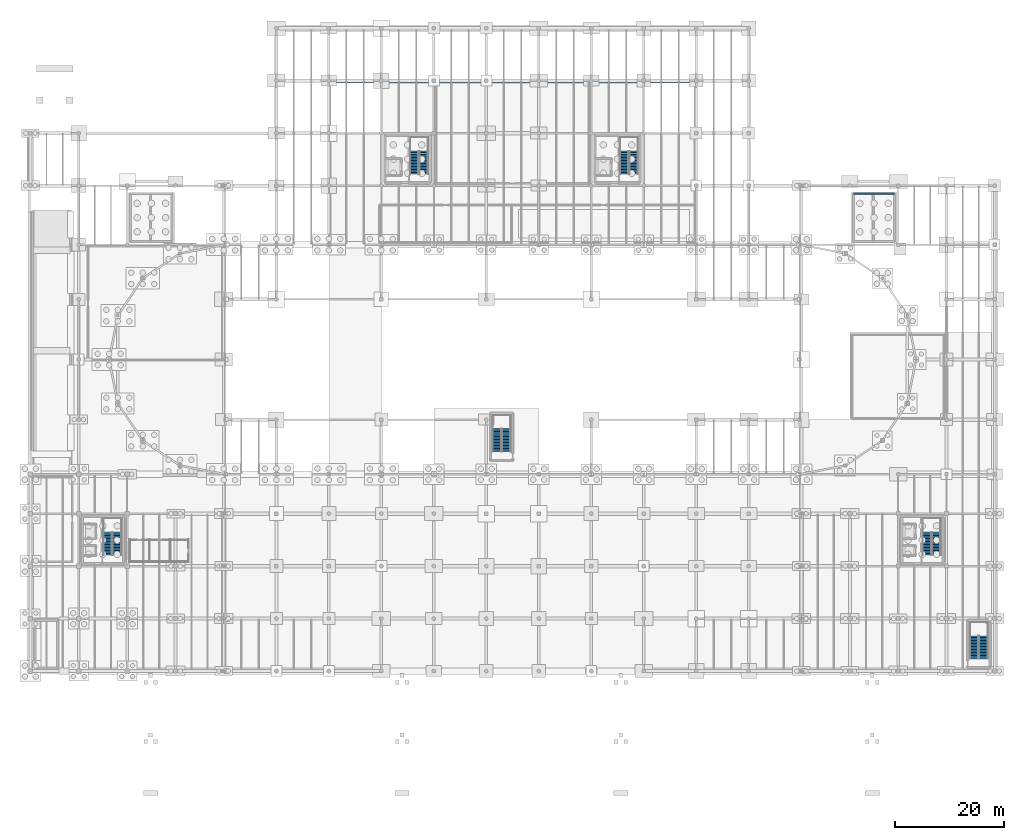
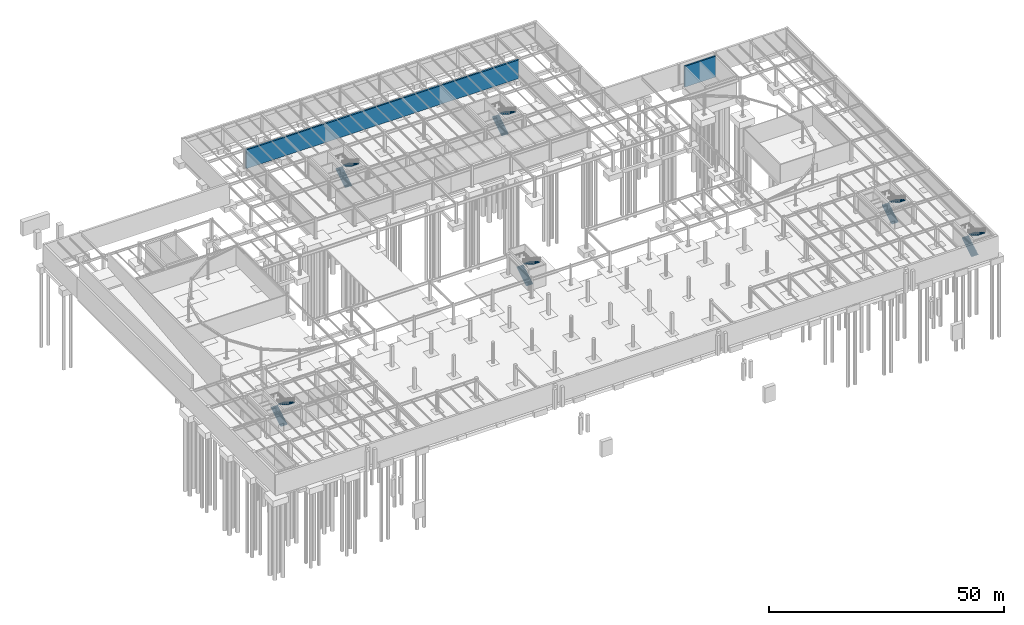
# One storey, part 47 of 50: 12 stair flights, 2 walls, 6 elements without a shape of their own.
"""IFC4 building model written with IfcOpenShell, lengths in metres."""

from ifc_helpers import new_model, si_unit, direction, frame, frame_2d, origin, place, context, subcontext, project, spatial, polyline, rectangle, outline, extrude, material, layer, layer_set, type_object, element, aggregate, save


model = new_model("IFC4")

# Units and contexts
model_context = context("Model", 3, precision=1e-05, world=origin(), true_north=direction((0.0, 1.0)))
body_context = subcontext(model_context, "Body", "Model", "MODEL_VIEW")
ifc_project = project(units=[si_unit("LENGTHUNIT", "METRE"), si_unit("AREAUNIT", "SQUARE_METRE"), si_unit("VOLUMEUNIT", "CUBIC_METRE"), si_unit("PLANEANGLEUNIT", "RADIAN"), si_unit("MASSUNIT", "GRAM", prefix="KILO")], contexts=[model_context])

# Site, building, storey
site_placement = place(None, origin())
site = spatial("IfcSite", under=ifc_project, at=site_placement, CompositionType="ELEMENT")
building_placement = place(site_placement, origin())
building = spatial("IfcBuilding", under=site, at=building_placement, Name="Yeouljin Market Hall", CompositionType="ELEMENT")
storey_placement = place(building_placement, frame((0.0, 0.0, -5.39990234375)))
storey = spatial("IfcBuildingStorey", under=building, at=storey_placement, Name="B1", CompositionType="ELEMENT", Elevation=-5.39990234375)

# Walls
ifc_material_1 = material(Name="Concrete C35/45", Category="concrete")
ifc_layer_1 = layer(ifc_material_1, 0.3798828125)
ifc_layer_set_1 = layer_set([ifc_layer_1], Name="Concrete C35/45")
wall_type_1 = type_object("IfcWallType", Name="Wall_CoreShear_380", PredefinedType="SHEAR", material=ifc_layer_set_1)
wall_1_placement = place(storey_placement, frame((158.090087890625, 87.35009765625, 0.0), z_axis=(0.0, 0.0, 1.0), x_axis=(-1.0, 0.0, 0.0)))
element("IfcWall", 1, at=wall_1_placement, inside=storey, type_object=wall_type_1, Name="Core C4 substructure shear wall N", PredefinedType="SHEAR", context=body_context, shape_type="SweptSolid", body=[
    extrude(rectangle(XDim=7.530029296875, YDim=0.3798828125, at=frame_2d((3.76513671875, 0.0))), origin(), (0.0, 0.0, 1.0), 5.39990234375),
])
ifc_material_2 = material(Name="Concrete C35/45", Category="concrete")
ifc_layer_2 = layer(ifc_material_2, 0.39990234375)
ifc_layer_set_2 = layer_set([ifc_layer_2], Name="Concrete C35/45")
wall_type_2 = type_object("IfcWallType", Name="Wall_Retaining_RC400", PredefinedType="USERDEFINED", material=ifc_layer_set_2)
wall_2_placement = place(storey_placement, frame((54.800048828125, 107.800048828125, 0.0), z_axis=(0.0, 0.0, 1.0), x_axis=(1.0, 0.0, 0.0)))
element("IfcWall", 2, at=wall_2_placement, inside=storey, type_object=wall_type_2, Name="Exterior wall W-B1-N2", ObjectType="RETAININGWALL", PredefinedType="USERDEFINED", context=body_context, shape_type="SweptSolid", body=[
    extrude(rectangle(XDim=66.800048828125, YDim=0.39990234375, at=frame_2d((33.39990234375, 0.0))), origin(), (0.0, 0.0, 1.0), 4.849853515625),
])

# Stair, stair flights
ifc_material_3 = material(Name="Concrete C30/37", Category="concrete")
stair_type_1 = type_object("IfcStairType", Name="Stair_Core_B1_L00", PredefinedType="TWO_STRAIGHT_RUN_STAIR", material=ifc_material_3)
stair_1_placement = place(storey_placement, origin())
stair_1 = element("IfcStair", 3, at=stair_1_placement, inside=storey, type_object=stair_type_1, Name="Enclosed exit stair ST-C3-B1", PredefinedType="TWO_STRAIGHT_RUN_STAIR")
ifc_material_4 = material(Name="Concrete C30/37", Category="concrete")
ifc_layer_3 = layer(ifc_material_4, 0.159912109375)
ifc_layer_set_3 = layer_set([ifc_layer_3], Name="Concrete C30/37")
stair_flight_type_1 = type_object("IfcStairFlightType", Name="StairFlight_1580", PredefinedType="STRAIGHT", material=ifc_layer_set_3)
stair_flight_1_placement = place(storey_placement, frame((164.02001953125, 21.199951171875, 0.0), z_axis=(0.0, 0.0, 1.0), x_axis=(0.0, 1.0, 0.0)))
stair_flight_1 = element("IfcStairFlight", 4, at=stair_flight_1_placement, type_object=stair_flight_type_1, Name="ST-C3-B1 flight 1", NumberOfRisers=16, NumberOfTreads=15, PredefinedType="STRAIGHT", RiserHeight=0.16875, TreadLength=0.28, context=body_context, shape_type="SweptSolid", body=[
    extrude(outline(polyline([(0.0, 0.0), (0.0, 0.168701171875), (0.280029296875, 0.168701171875), (0.280029296875, 0.33740234375), (0.56005859375, 0.33740234375), (0.56005859375, 0.50634765625), (0.840087890625, 0.50634765625), (0.840087890625, 0.675048828125), (1.1201171875, 0.675048828125), (1.1201171875, 0.84375), (1.39990234375, 0.84375), (1.39990234375, 1.012451171875), (1.679931640625, 1.012451171875), (1.679931640625, 1.18115234375), (1.9599609375, 1.18115234375), (1.9599609375, 1.35009765625), (2.239990234375, 1.35009765625), (2.239990234375, 1.518798828125), (2.52001953125, 1.518798828125), (2.52001953125, 1.6875), (2.800048828125, 1.6875), (2.800048828125, 1.856201171875), (3.080078125, 1.856201171875), (3.080078125, 2.02490234375), (3.360107421875, 2.02490234375), (3.360107421875, 2.19384765625), (3.639892578125, 2.19384765625), (3.639892578125, 2.362548828125), (3.919921875, 2.362548828125), (3.919921875, 2.53125), (4.199951171875, 2.53125), (4.199951171875, 2.699951171875), (4.199951171875, 2.3212890625), (0.3486328125, 0.0), (0.0, 0.0)])), frame((0.0, 0.81005859375, 0.0), z_axis=(0.0, -1.0, 0.0), x_axis=(1.0, 0.0, 0.0)), (0.0, 0.0, 1.0), 1.6201171875),
])
stair_flight_2_placement = place(storey_placement, frame((165.719970703125, 25.39990234375, 2.699951171875), z_axis=(0.0, 0.0, 1.0), x_axis=(0.0, -1.0, 0.0)))
stair_flight_2 = element("IfcStairFlight", 5, at=stair_flight_2_placement, type_object=stair_flight_type_1, Name="ST-C3-B1 flight 2", NumberOfRisers=16, NumberOfTreads=15, PredefinedType="STRAIGHT", RiserHeight=0.16875, TreadLength=0.28, context=body_context, shape_type="SweptSolid", body=[
    extrude(outline(polyline([(0.0, 0.0), (0.0, 0.168701171875), (0.280029296875, 0.168701171875), (0.280029296875, 0.33740234375), (0.56005859375, 0.33740234375), (0.56005859375, 0.50634765625), (0.840087890625, 0.50634765625), (0.840087890625, 0.675048828125), (1.1201171875, 0.675048828125), (1.1201171875, 0.84375), (1.39990234375, 0.84375), (1.39990234375, 1.012451171875), (1.679931640625, 1.012451171875), (1.679931640625, 1.18115234375), (1.9599609375, 1.18115234375), (1.9599609375, 1.35009765625), (2.239990234375, 1.35009765625), (2.239990234375, 1.518798828125), (2.52001953125, 1.518798828125), (2.52001953125, 1.6875), (2.800048828125, 1.6875), (2.800048828125, 1.856201171875), (3.080078125, 1.856201171875), (3.080078125, 2.02490234375), (3.360107421875, 2.02490234375), (3.360107421875, 2.19384765625), (3.639892578125, 2.19384765625), (3.639892578125, 2.362548828125), (3.919921875, 2.362548828125), (3.919921875, 2.53125), (4.199951171875, 2.53125), (4.199951171875, 2.699951171875), (4.199951171875, 2.3212890625), (0.3486328125, 0.0), (0.0, 0.0)])), frame((0.0, 0.81005859375, 0.0), z_axis=(0.0, -1.0, 0.0), x_axis=(1.0, 0.0, 0.0)), (0.0, 0.0, 1.0), 1.6201171875),
])
aggregate(stair_1, [stair_flight_1, stair_flight_2])

stair_2_placement = place(storey_placement, origin())
stair_2 = element("IfcStair", 6, at=stair_2_placement, inside=storey, type_object=stair_type_1, Name="Enclosed exit stair ST-C5-B1", PredefinedType="TWO_STRAIGHT_RUN_STAIR")
stair_flight_3_placement = place(storey_placement, frame((70.25, 90.89990234375, 0.0), z_axis=(0.0, 0.0, 1.0), x_axis=(0.0, 1.0, 0.0)))
stair_flight_3 = element("IfcStairFlight", 7, at=stair_flight_3_placement, type_object=stair_flight_type_1, Name="ST-C5-B1 flight 1", NumberOfRisers=16, NumberOfTreads=15, PredefinedType="STRAIGHT", RiserHeight=0.16875, TreadLength=0.28, context=body_context, shape_type="SweptSolid", body=[
    extrude(outline(polyline([(0.0, 0.0), (0.0, 0.168701171875), (0.280029296875, 0.168701171875), (0.280029296875, 0.33740234375), (0.56005859375, 0.33740234375), (0.56005859375, 0.50634765625), (0.840087890625, 0.50634765625), (0.840087890625, 0.675048828125), (1.1201171875, 0.675048828125), (1.1201171875, 0.84375), (1.39990234375, 0.84375), (1.39990234375, 1.012451171875), (1.679931640625, 1.012451171875), (1.679931640625, 1.18115234375), (1.9599609375, 1.18115234375), (1.9599609375, 1.35009765625), (2.239990234375, 1.35009765625), (2.239990234375, 1.518798828125), (2.52001953125, 1.518798828125), (2.52001953125, 1.6875), (2.800048828125, 1.6875), (2.800048828125, 1.856201171875), (3.080078125, 1.856201171875), (3.080078125, 2.02490234375), (3.360107421875, 2.02490234375), (3.360107421875, 2.19384765625), (3.639892578125, 2.19384765625), (3.639892578125, 2.362548828125), (3.919921875, 2.362548828125), (3.919921875, 2.53125), (4.199951171875, 2.53125), (4.199951171875, 2.699951171875), (4.199951171875, 2.3212890625), (0.3486328125, 0.0), (0.0, 0.0)])), frame((0.0, 0.81005859375, 0.0), z_axis=(0.0, -1.0, 0.0), x_axis=(1.0, 0.0, 0.0)), (0.0, 0.0, 1.0), 1.6201171875),
])
stair_flight_4_placement = place(storey_placement, frame((71.949951171875, 95.10009765625, 2.699951171875), z_axis=(0.0, 0.0, 1.0), x_axis=(0.0, -1.0, 0.0)))
stair_flight_4 = element("IfcStairFlight", 8, at=stair_flight_4_placement, type_object=stair_flight_type_1, Name="ST-C5-B1 flight 2", NumberOfRisers=16, NumberOfTreads=15, PredefinedType="STRAIGHT", RiserHeight=0.16875, TreadLength=0.28, context=body_context, shape_type="SweptSolid", body=[
    extrude(outline(polyline([(0.0, 0.0), (0.0, 0.168701171875), (0.280029296875, 0.168701171875), (0.280029296875, 0.33740234375), (0.56005859375, 0.33740234375), (0.56005859375, 0.50634765625), (0.840087890625, 0.50634765625), (0.840087890625, 0.675048828125), (1.1201171875, 0.675048828125), (1.1201171875, 0.84375), (1.39990234375, 0.84375), (1.39990234375, 1.012451171875), (1.679931640625, 1.012451171875), (1.679931640625, 1.18115234375), (1.9599609375, 1.18115234375), (1.9599609375, 1.35009765625), (2.239990234375, 1.35009765625), (2.239990234375, 1.518798828125), (2.52001953125, 1.518798828125), (2.52001953125, 1.6875), (2.800048828125, 1.6875), (2.800048828125, 1.856201171875), (3.080078125, 1.856201171875), (3.080078125, 2.02490234375), (3.360107421875, 2.02490234375), (3.360107421875, 2.19384765625), (3.639892578125, 2.19384765625), (3.639892578125, 2.362548828125), (3.919921875, 2.362548828125), (3.919921875, 2.53125), (4.199951171875, 2.53125), (4.199951171875, 2.699951171875), (4.199951171875, 2.3212890625), (0.3486328125, 0.0), (0.0, 0.0)])), frame((0.0, 0.81005859375, 0.0), z_axis=(0.0, -1.0, 0.0), x_axis=(1.0, 0.0, 0.0)), (0.0, 0.0, 1.0), 1.6201171875),
])
aggregate(stair_2, [stair_flight_3, stair_flight_4])

stair_3_placement = place(storey_placement, origin())
stair_3 = element("IfcStair", 9, at=stair_3_placement, inside=storey, type_object=stair_type_1, Name="Enclosed exit stair ST-C6-B1", PredefinedType="TWO_STRAIGHT_RUN_STAIR")
stair_flight_5_placement = place(storey_placement, frame((108.64990234375, 90.89990234375, 0.0), z_axis=(0.0, 0.0, 1.0), x_axis=(0.0, 1.0, 0.0)))
stair_flight_5 = element("IfcStairFlight", 10, at=stair_flight_5_placement, type_object=stair_flight_type_1, Name="ST-C6-B1 flight 1", NumberOfRisers=16, NumberOfTreads=15, PredefinedType="STRAIGHT", RiserHeight=0.16875, TreadLength=0.28, context=body_context, shape_type="SweptSolid", body=[
    extrude(outline(polyline([(0.0, 0.0), (0.0, 0.168701171875), (0.280029296875, 0.168701171875), (0.280029296875, 0.33740234375), (0.56005859375, 0.33740234375), (0.56005859375, 0.50634765625), (0.840087890625, 0.50634765625), (0.840087890625, 0.675048828125), (1.1201171875, 0.675048828125), (1.1201171875, 0.84375), (1.39990234375, 0.84375), (1.39990234375, 1.012451171875), (1.679931640625, 1.012451171875), (1.679931640625, 1.18115234375), (1.9599609375, 1.18115234375), (1.9599609375, 1.35009765625), (2.239990234375, 1.35009765625), (2.239990234375, 1.518798828125), (2.52001953125, 1.518798828125), (2.52001953125, 1.6875), (2.800048828125, 1.6875), (2.800048828125, 1.856201171875), (3.080078125, 1.856201171875), (3.080078125, 2.02490234375), (3.360107421875, 2.02490234375), (3.360107421875, 2.19384765625), (3.639892578125, 2.19384765625), (3.639892578125, 2.362548828125), (3.919921875, 2.362548828125), (3.919921875, 2.53125), (4.199951171875, 2.53125), (4.199951171875, 2.699951171875), (4.199951171875, 2.3212890625), (0.3486328125, 0.0), (0.0, 0.0)])), frame((0.0, 0.81005859375, 0.0), z_axis=(0.0, -1.0, 0.0), x_axis=(1.0, 0.0, 0.0)), (0.0, 0.0, 1.0), 1.6201171875),
])
stair_flight_6_placement = place(storey_placement, frame((110.35009765625, 95.10009765625, 2.699951171875), z_axis=(0.0, 0.0, 1.0), x_axis=(0.0, -1.0, 0.0)))
stair_flight_6 = element("IfcStairFlight", 11, at=stair_flight_6_placement, type_object=stair_flight_type_1, Name="ST-C6-B1 flight 2", NumberOfRisers=16, NumberOfTreads=15, PredefinedType="STRAIGHT", RiserHeight=0.16875, TreadLength=0.28, context=body_context, shape_type="SweptSolid", body=[
    extrude(outline(polyline([(0.0, 0.0), (0.0, 0.168701171875), (0.280029296875, 0.168701171875), (0.280029296875, 0.33740234375), (0.56005859375, 0.33740234375), (0.56005859375, 0.50634765625), (0.840087890625, 0.50634765625), (0.840087890625, 0.675048828125), (1.1201171875, 0.675048828125), (1.1201171875, 0.84375), (1.39990234375, 0.84375), (1.39990234375, 1.012451171875), (1.679931640625, 1.012451171875), (1.679931640625, 1.18115234375), (1.9599609375, 1.18115234375), (1.9599609375, 1.35009765625), (2.239990234375, 1.35009765625), (2.239990234375, 1.518798828125), (2.52001953125, 1.518798828125), (2.52001953125, 1.6875), (2.800048828125, 1.6875), (2.800048828125, 1.856201171875), (3.080078125, 1.856201171875), (3.080078125, 2.02490234375), (3.360107421875, 2.02490234375), (3.360107421875, 2.19384765625), (3.639892578125, 2.19384765625), (3.639892578125, 2.362548828125), (3.919921875, 2.362548828125), (3.919921875, 2.53125), (4.199951171875, 2.53125), (4.199951171875, 2.699951171875), (4.199951171875, 2.3212890625), (0.3486328125, 0.0), (0.0, 0.0)])), frame((0.0, 0.81005859375, 0.0), z_axis=(0.0, -1.0, 0.0), x_axis=(1.0, 0.0, 0.0)), (0.0, 0.0, 1.0), 1.6201171875),
])
aggregate(stair_3, [stair_flight_5, stair_flight_6])

ifc_material_5 = material(Name="Concrete C30/37", Category="concrete")
stair_type_2 = type_object("IfcStairType", Name="Stair_Escape_Wing", PredefinedType="HALF_TURN_STAIR", material=ifc_material_5)
stair_4_placement = place(storey_placement, origin())
stair_4 = element("IfcStair", 12, at=stair_4_placement, inside=storey, type_object=stair_type_2, Name="Enclosed exit stair ST-S8-B1", PredefinedType="HALF_TURN_STAIR")
ifc_material_6 = material(Name="Concrete C30/37", Category="concrete")
ifc_layer_4 = layer(ifc_material_6, 0.179931640625)
ifc_layer_set_4 = layer_set([ifc_layer_4], Name="Concrete C30/37")
stair_flight_type_2 = type_object("IfcStairFlightType", Name="StairFlight_1620", PredefinedType="STRAIGHT", material=ifc_layer_set_4)
stair_flight_7_placement = place(storey_placement, frame((172.64990234375, 2.25, 0.0), z_axis=(0.0, 0.0, 1.0), x_axis=(0.0, 1.0, 0.0)))
stair_flight_7 = element("IfcStairFlight", 13, at=stair_flight_7_placement, type_object=stair_flight_type_2, Name="ST-S8-B1 flight 1", NumberOfRisers=16, NumberOfTreads=15, PredefinedType="STRAIGHT", RiserHeight=0.16875, TreadLength=0.28, context=body_context, shape_type="SweptSolid", body=[
    extrude(outline(polyline([(0.0, 0.0), (0.0, 0.168701171875), (0.280029296875, 0.168701171875), (0.280029296875, 0.33740234375), (0.56005859375, 0.33740234375), (0.56005859375, 0.50634765625), (0.840087890625, 0.50634765625), (0.840087890625, 0.675048828125), (1.1201171875, 0.675048828125), (1.1201171875, 0.84375), (1.39990234375, 0.84375), (1.39990234375, 1.012451171875), (1.679931640625, 1.012451171875), (1.679931640625, 1.18115234375), (1.9599609375, 1.18115234375), (1.9599609375, 1.35009765625), (2.239990234375, 1.35009765625), (2.239990234375, 1.518798828125), (2.52001953125, 1.518798828125), (2.52001953125, 1.6875), (2.800048828125, 1.6875), (2.800048828125, 1.856201171875), (3.080078125, 1.856201171875), (3.080078125, 2.02490234375), (3.360107421875, 2.02490234375), (3.360107421875, 2.19384765625), (3.639892578125, 2.19384765625), (3.639892578125, 2.362548828125), (3.919921875, 2.362548828125), (3.919921875, 2.53125), (4.199951171875, 2.53125), (4.199951171875, 2.699951171875), (4.199951171875, 2.3212890625), (0.3486328125, 0.0), (0.0, 0.0)])), frame((0.0, 0.81005859375, 0.0), z_axis=(0.0, -1.0, 0.0), x_axis=(1.0, 0.0, 0.0)), (0.0, 0.0, 1.0), 1.6201171875),
])
stair_flight_8_placement = place(storey_placement, frame((174.35009765625, 6.449951171875, 2.699951171875), z_axis=(0.0, 0.0, 1.0), x_axis=(0.0, -1.0, 0.0)))
stair_flight_8 = element("IfcStairFlight", 14, at=stair_flight_8_placement, type_object=stair_flight_type_2, Name="ST-S8-B1 flight 2", NumberOfRisers=16, NumberOfTreads=15, PredefinedType="STRAIGHT", RiserHeight=0.16875, TreadLength=0.28, context=body_context, shape_type="SweptSolid", body=[
    extrude(outline(polyline([(0.0, 0.0), (0.0, 0.168701171875), (0.280029296875, 0.168701171875), (0.280029296875, 0.33740234375), (0.56005859375, 0.33740234375), (0.56005859375, 0.50634765625), (0.840087890625, 0.50634765625), (0.840087890625, 0.675048828125), (1.1201171875, 0.675048828125), (1.1201171875, 0.84375), (1.39990234375, 0.84375), (1.39990234375, 1.012451171875), (1.679931640625, 1.012451171875), (1.679931640625, 1.18115234375), (1.9599609375, 1.18115234375), (1.9599609375, 1.35009765625), (2.239990234375, 1.35009765625), (2.239990234375, 1.518798828125), (2.52001953125, 1.518798828125), (2.52001953125, 1.6875), (2.800048828125, 1.6875), (2.800048828125, 1.856201171875), (3.080078125, 1.856201171875), (3.080078125, 2.02490234375), (3.360107421875, 2.02490234375), (3.360107421875, 2.19384765625), (3.639892578125, 2.19384765625), (3.639892578125, 2.362548828125), (3.919921875, 2.362548828125), (3.919921875, 2.53125), (4.199951171875, 2.53125), (4.199951171875, 2.699951171875), (4.199951171875, 2.3212890625), (0.3486328125, 0.0), (0.0, 0.0)])), frame((0.0, 0.81005859375, 0.0), z_axis=(0.0, -1.0, 0.0), x_axis=(1.0, 0.0, 0.0)), (0.0, 0.0, 1.0), 1.6201171875),
])
aggregate(stair_4, [stair_flight_7, stair_flight_8])

stair_5_placement = place(storey_placement, origin())
stair_5 = element("IfcStair", 15, at=stair_5_placement, inside=storey, type_object=stair_type_1, Name="Enclosed exit stair ST-C1-B1", PredefinedType="TWO_STRAIGHT_RUN_STAIR")
ifc_material_7 = material(Name="Concrete C30/37", Category="concrete")
ifc_layer_5 = layer(ifc_material_7, 0.199951171875)
ifc_layer_set_5 = layer_set([ifc_layer_5], Name="Concrete C30/37")
stair_flight_type_3 = type_object("IfcStairFlightType", Name="StairFlight_1660", PredefinedType="STRAIGHT", material=ifc_layer_set_5)
stair_flight_9_placement = place(storey_placement, frame((14.14990234375, 21.199951171875, 0.0), z_axis=(0.0, 0.0, 1.0), x_axis=(0.0, 1.0, 0.0)))
stair_flight_9 = element("IfcStairFlight", 16, at=stair_flight_9_placement, type_object=stair_flight_type_3, Name="ST-C1-B1 flight 1", NumberOfRisers=16, NumberOfTreads=15, PredefinedType="STRAIGHT", RiserHeight=0.16875, TreadLength=0.28, context=body_context, shape_type="SweptSolid", body=[
    extrude(outline(polyline([(0.0, 0.0), (0.0, 0.168701171875), (0.280029296875, 0.168701171875), (0.280029296875, 0.33740234375), (0.56005859375, 0.33740234375), (0.56005859375, 0.50634765625), (0.840087890625, 0.50634765625), (0.840087890625, 0.675048828125), (1.1201171875, 0.675048828125), (1.1201171875, 0.84375), (1.39990234375, 0.84375), (1.39990234375, 1.012451171875), (1.679931640625, 1.012451171875), (1.679931640625, 1.18115234375), (1.9599609375, 1.18115234375), (1.9599609375, 1.35009765625), (2.239990234375, 1.35009765625), (2.239990234375, 1.518798828125), (2.52001953125, 1.518798828125), (2.52001953125, 1.6875), (2.800048828125, 1.6875), (2.800048828125, 1.856201171875), (3.080078125, 1.856201171875), (3.080078125, 2.02490234375), (3.360107421875, 2.02490234375), (3.360107421875, 2.19384765625), (3.639892578125, 2.19384765625), (3.639892578125, 2.362548828125), (3.919921875, 2.362548828125), (3.919921875, 2.53125), (4.199951171875, 2.53125), (4.199951171875, 2.699951171875), (4.199951171875, 2.3212890625), (0.3486328125, 0.0), (0.0, 0.0)])), frame((0.0, 0.81005859375, 0.0), z_axis=(0.0, -1.0, 0.0), x_axis=(1.0, 0.0, 0.0)), (0.0, 0.0, 1.0), 1.6201171875),
])
stair_flight_10_placement = place(storey_placement, frame((15.85009765625, 25.39990234375, 2.699951171875), z_axis=(0.0, 0.0, 1.0), x_axis=(0.0, -1.0, 0.0)))
stair_flight_10 = element("IfcStairFlight", 17, at=stair_flight_10_placement, type_object=stair_flight_type_3, Name="ST-C1-B1 flight 2", NumberOfRisers=16, NumberOfTreads=15, PredefinedType="STRAIGHT", RiserHeight=0.16875, TreadLength=0.28, context=body_context, shape_type="SweptSolid", body=[
    extrude(outline(polyline([(0.0, 0.0), (0.0, 0.168701171875), (0.280029296875, 0.168701171875), (0.280029296875, 0.33740234375), (0.56005859375, 0.33740234375), (0.56005859375, 0.50634765625), (0.840087890625, 0.50634765625), (0.840087890625, 0.675048828125), (1.1201171875, 0.675048828125), (1.1201171875, 0.84375), (1.39990234375, 0.84375), (1.39990234375, 1.012451171875), (1.679931640625, 1.012451171875), (1.679931640625, 1.18115234375), (1.9599609375, 1.18115234375), (1.9599609375, 1.35009765625), (2.239990234375, 1.35009765625), (2.239990234375, 1.518798828125), (2.52001953125, 1.518798828125), (2.52001953125, 1.6875), (2.800048828125, 1.6875), (2.800048828125, 1.856201171875), (3.080078125, 1.856201171875), (3.080078125, 2.02490234375), (3.360107421875, 2.02490234375), (3.360107421875, 2.19384765625), (3.639892578125, 2.19384765625), (3.639892578125, 2.362548828125), (3.919921875, 2.362548828125), (3.919921875, 2.53125), (4.199951171875, 2.53125), (4.199951171875, 2.699951171875), (4.199951171875, 2.3212890625), (0.3486328125, 0.0), (0.0, 0.0)])), frame((0.0, 0.81005859375, 0.0), z_axis=(0.0, -1.0, 0.0), x_axis=(1.0, 0.0, 0.0)), (0.0, 0.0, 1.0), 1.6201171875),
])
aggregate(stair_5, [stair_flight_9, stair_flight_10])

stair_6_placement = place(storey_placement, origin())
stair_6 = element("IfcStair", 18, at=stair_6_placement, inside=storey, type_object=stair_type_2, Name="Enclosed exit stair ST-S9-B1", PredefinedType="HALF_TURN_STAIR")
stair_flight_11_placement = place(storey_placement, frame((85.35009765625, 40.14990234375, 0.0), z_axis=(0.0, 0.0, 1.0), x_axis=(0.0, 1.0, 0.0)))
stair_flight_11 = element("IfcStairFlight", 19, at=stair_flight_11_placement, type_object=stair_flight_type_3, Name="ST-S9-B1 flight 1", NumberOfRisers=16, NumberOfTreads=15, PredefinedType="STRAIGHT", RiserHeight=0.16875, TreadLength=0.28, context=body_context, shape_type="SweptSolid", body=[
    extrude(outline(polyline([(0.0, 0.0), (0.0, 0.168701171875), (0.280029296875, 0.168701171875), (0.280029296875, 0.33740234375), (0.56005859375, 0.33740234375), (0.56005859375, 0.50634765625), (0.840087890625, 0.50634765625), (0.840087890625, 0.675048828125), (1.1201171875, 0.675048828125), (1.1201171875, 0.84375), (1.39990234375, 0.84375), (1.39990234375, 1.012451171875), (1.679931640625, 1.012451171875), (1.679931640625, 1.18115234375), (1.9599609375, 1.18115234375), (1.9599609375, 1.35009765625), (2.239990234375, 1.35009765625), (2.239990234375, 1.518798828125), (2.52001953125, 1.518798828125), (2.52001953125, 1.6875), (2.800048828125, 1.6875), (2.800048828125, 1.856201171875), (3.080078125, 1.856201171875), (3.080078125, 2.02490234375), (3.360107421875, 2.02490234375), (3.360107421875, 2.19384765625), (3.639892578125, 2.19384765625), (3.639892578125, 2.362548828125), (3.919921875, 2.362548828125), (3.919921875, 2.53125), (4.199951171875, 2.53125), (4.199951171875, 2.699951171875), (4.199951171875, 2.3212890625), (0.3486328125, 0.0), (0.0, 0.0)])), frame((0.0, 0.81005859375, 0.0), z_axis=(0.0, -1.0, 0.0), x_axis=(1.0, 0.0, 0.0)), (0.0, 0.0, 1.0), 1.6201171875),
])
stair_flight_12_placement = place(storey_placement, frame((87.050048828125, 44.35009765625, 2.699951171875), z_axis=(0.0, 0.0, 1.0), x_axis=(0.0, -1.0, 0.0)))
stair_flight_12 = element("IfcStairFlight", 20, at=stair_flight_12_placement, type_object=stair_flight_type_3, Name="ST-S9-B1 flight 2", NumberOfRisers=16, NumberOfTreads=15, PredefinedType="STRAIGHT", RiserHeight=0.16875, TreadLength=0.28, context=body_context, shape_type="SweptSolid", body=[
    extrude(outline(polyline([(0.0, 0.0), (0.0, 0.168701171875), (0.280029296875, 0.168701171875), (0.280029296875, 0.33740234375), (0.56005859375, 0.33740234375), (0.56005859375, 0.50634765625), (0.840087890625, 0.50634765625), (0.840087890625, 0.675048828125), (1.1201171875, 0.675048828125), (1.1201171875, 0.84375), (1.39990234375, 0.84375), (1.39990234375, 1.012451171875), (1.679931640625, 1.012451171875), (1.679931640625, 1.18115234375), (1.9599609375, 1.18115234375), (1.9599609375, 1.35009765625), (2.239990234375, 1.35009765625), (2.239990234375, 1.518798828125), (2.52001953125, 1.518798828125), (2.52001953125, 1.6875), (2.800048828125, 1.6875), (2.800048828125, 1.856201171875), (3.080078125, 1.856201171875), (3.080078125, 2.02490234375), (3.360107421875, 2.02490234375), (3.360107421875, 2.19384765625), (3.639892578125, 2.19384765625), (3.639892578125, 2.362548828125), (3.919921875, 2.362548828125), (3.919921875, 2.53125), (4.199951171875, 2.53125), (4.199951171875, 2.699951171875), (4.199951171875, 2.3212890625), (0.3486328125, 0.0), (0.0, 0.0)])), frame((0.0, 0.81005859375, 0.0), z_axis=(0.0, -1.0, 0.0), x_axis=(1.0, 0.0, 0.0)), (0.0, 0.0, 1.0), 1.6201171875),
])
aggregate(stair_6, [stair_flight_11, stair_flight_12])

save(model, "model.ifc")
